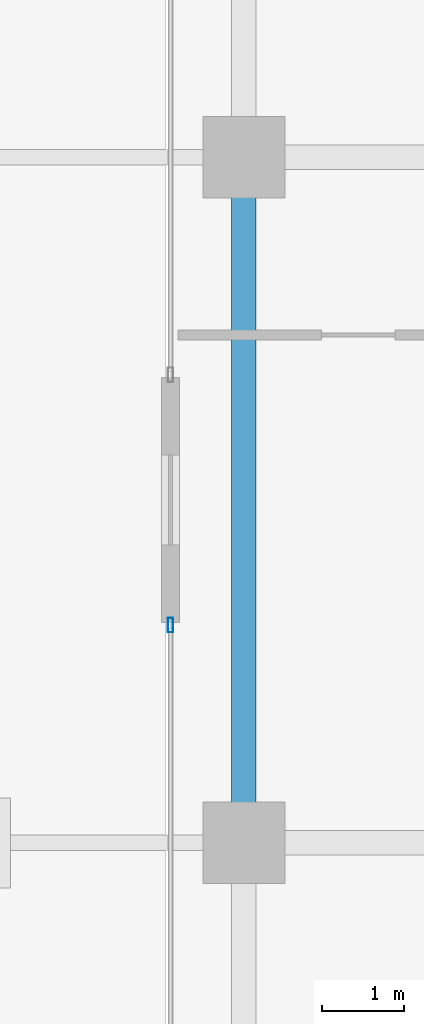
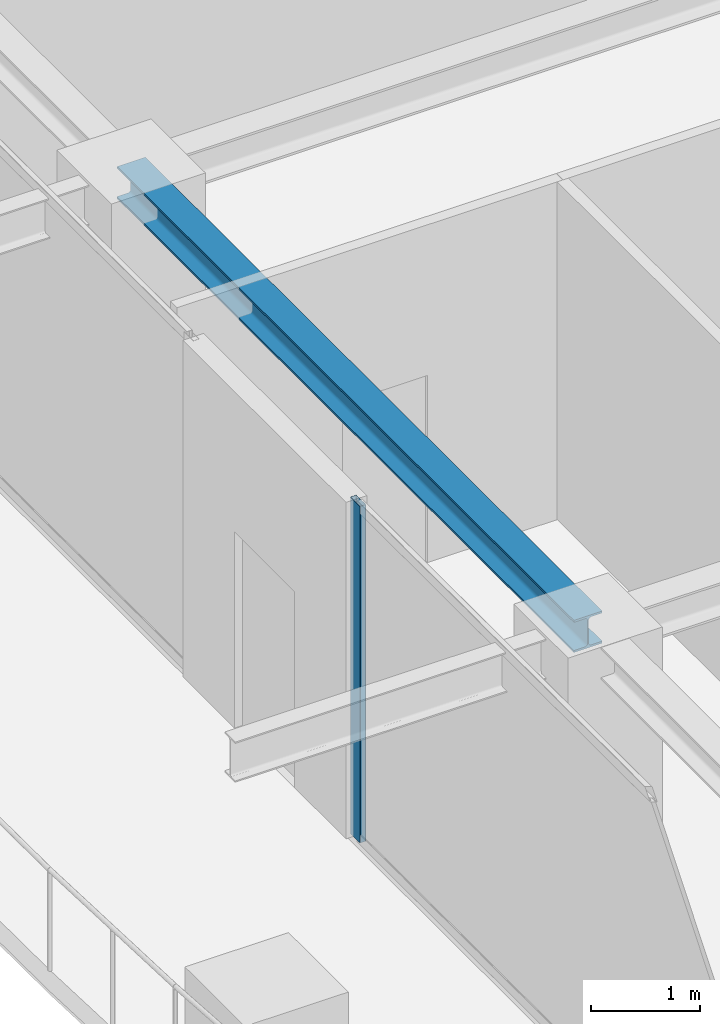
# One storey, part 8 of 37: 1 beam, 1 member, 1 element without a shape of its own.
"""IFC4 building model written with IfcOpenShell, lengths in metres."""

from ifc_helpers import new_model, si_unit, direction, frame, origin, origin_2d, place, context, subcontext, project, spatial, hollow_rectangle, i_section, extrude, source, transform, mapped, material, layer, layer_set, material_profile, profile_set, type_object, element, aggregate, save


model = new_model("IFC4")

# Units and contexts
model_context = context("Model", 3, precision=1e-05, world=origin(), true_north=direction((0.0, 1.0)))
body_context = subcontext(model_context, "Body", "Model", "MODEL_VIEW")
ifc_project = project(units=[si_unit("LENGTHUNIT", "METRE"), si_unit("AREAUNIT", "SQUARE_METRE"), si_unit("VOLUMEUNIT", "CUBIC_METRE"), si_unit("PLANEANGLEUNIT", "RADIAN"), si_unit("MASSUNIT", "GRAM", prefix="KILO")], contexts=[model_context])

# Site, building, storey
site_placement = place(None, origin())
site = spatial("IfcSite", under=ifc_project, at=site_placement, CompositionType="ELEMENT")
building_placement = place(site_placement, origin())
building = spatial("IfcBuilding", under=site, at=building_placement, Name="Serunith Strait Residences", CompositionType="ELEMENT")
storey_placement = place(building_placement, frame((0.0, 0.0, 317.75)))
storey = spatial("IfcBuildingStorey", under=building, at=storey_placement, Name="L79", CompositionType="ELEMENT", Elevation=317.75)

# Beam
ifc_material_1 = material(Name="Steel S355J2", Category="steel")
ifc_material_profile_1 = material_profile(ifc_material_1, i_section(OverallWidth=0.300048828125, OverallDepth=0.360107421875, WebThickness=0.012451171875, FlangeThickness=0.0224609375, FilletRadius=0.027099609375, at=origin_2d()), Name="HEB 360")
ifc_profile_set_1 = profile_set([ifc_material_profile_1], Name="Steel S355J2")
beam_type = type_object("IfcBeamType", Name="BM-HEB360", PredefinedType="BEAM", material=ifc_profile_set_1)
shared_shape_1 = source(origin(), body_context, "Body", "SweptSolid", [
    extrude(i_section(OverallWidth=0.300048828125, OverallDepth=0.360107421875, WebThickness=0.012451171875, FlangeThickness=0.0224609375, FilletRadius=0.027099609375, at=origin_2d()), origin(), (0.0, 0.0, 1.0), 8.39990234375),
])
beam_placement = place(storey_placement, frame((10.10009765625, 29.39990234375, 3.60693359375), z_axis=(0.0, -1.0, 0.0), x_axis=(1.0, 0.0, 0.0)))
element("IfcBeam", 1, at=beam_placement, inside=storey, type_object=beam_type, Name="L79 Perimeter Ring Beam 14", PredefinedType="BEAM", context=body_context, shape_type="MappedRepresentation", body=[
    mapped(shared_shape_1, transform((0.0, 0.0, 0.0), scale=1.0)),
])

# Curtain wall, member
ifc_material_2 = material(Name="Brushed Stainless-Silver Aluminium", Category="aluminium")
ifc_layer = layer(ifc_material_2, 0.199951171875, Name="Brushed Stainless-Silver Aluminium")
ifc_layer_set = layer_set([ifc_layer], Name="Brushed Stainless-Silver Aluminium")
curtain_wall_type = type_object("IfcCurtainWallType", Name="CW-SYS5", PredefinedType="NOTDEFINED", material=ifc_layer_set)
curtain_wall_placement = place(storey_placement, origin())
curtain_wall = element("IfcCurtainWall", 2, at=curtain_wall_placement, inside=storey, type_object=curtain_wall_type, Name="L79 W Unitised Fritted Curtain Wall", PredefinedType="NOTDEFINED")
ifc_material_profile_2 = material_profile(ifc_material_2, hollow_rectangle(XDim=0.06494140625, YDim=0.179931640625, WallThickness=0.00341796875, InnerFilletRadius=0.00537109375, OuterFilletRadius=0.0087890625, at=origin_2d()), Name="ALU 180x65x3.5")
ifc_profile_set_2 = profile_set([ifc_material_profile_2], Name="Brushed Stainless-Silver Aluminium")
member_type = type_object("IfcMemberType", Name="CW-SYS5-MULL", PredefinedType="MULLION", material=ifc_profile_set_2)
shared_shape_2 = source(origin(), body_context, "Body", "SweptSolid", [
    extrude(hollow_rectangle(XDim=0.06494140625, YDim=0.179931640625, WallThickness=0.00341796875, InnerFilletRadius=0.00537109375, OuterFilletRadius=0.0087890625, at=origin_2d()), origin(), (0.0, 0.0, 1.0), 3.77490234375),
])
member_placement = place(storey_placement, frame((9.199951171875, 23.66748046875, 0.0), z_axis=(0.0, 0.0, 1.0), x_axis=(1.0, 0.0, 0.0)))
member = element("IfcMember", 3, at=member_placement, type_object=member_type, Name="CW-5 mullion 1", PredefinedType="MULLION", context=body_context, shape_type="MappedRepresentation", body=[
    mapped(shared_shape_2, transform((0.0, 0.0, 0.0), scale=1.0)),
])
aggregate(curtain_wall, [member])

save(model, "model.ifc")
